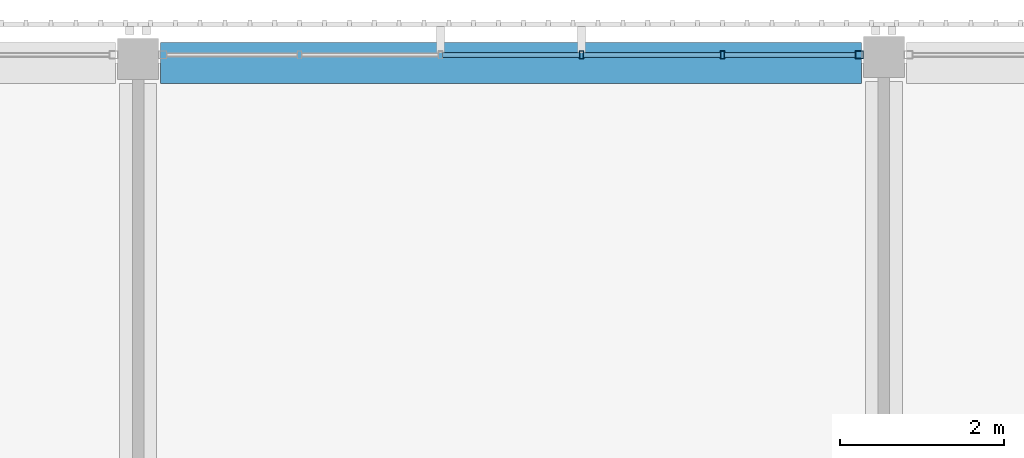
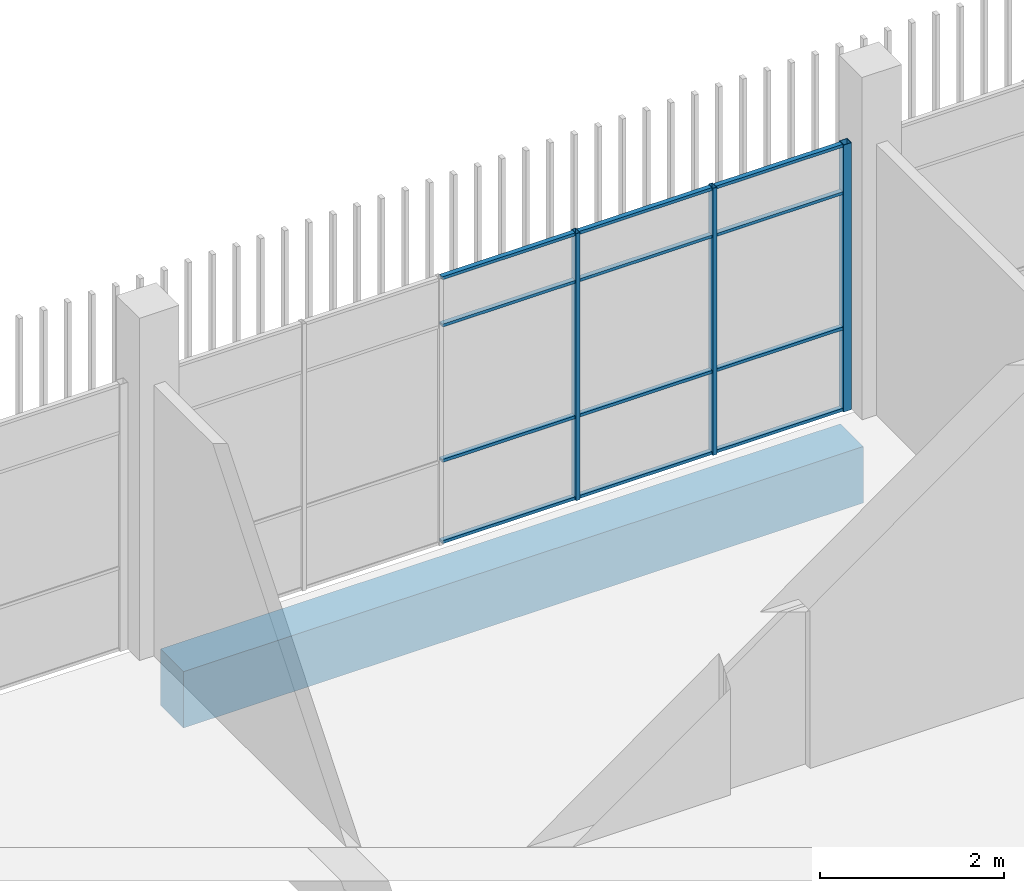
# One storey, part 42 of 139: 15 members, 1 beam, 1 element without a shape of its own.
"""IFC4 building model written with IfcOpenShell, lengths in metres."""

from ifc_helpers import new_model, si_unit, direction, frame, origin, origin_2d, place, context, subcontext, project, spatial, rectangle, hollow_rectangle, extrude, material, layer, layer_set, material_profile, profile_set, type_object, element, aggregate, save


model = new_model("IFC4")

# Units and contexts
model_context = context("Model", 3, precision=1e-05, world=origin(), true_north=direction((0.0, 1.0)))
body_context = subcontext(model_context, "Body", "Model", "MODEL_VIEW")
ifc_project = project(units=[si_unit("LENGTHUNIT", "METRE"), si_unit("AREAUNIT", "SQUARE_METRE"), si_unit("VOLUMEUNIT", "CUBIC_METRE"), si_unit("PLANEANGLEUNIT", "RADIAN"), si_unit("MASSUNIT", "GRAM", prefix="KILO")], contexts=[model_context])

# Site, building, storey
site_placement = place(None, origin())
site = spatial("IfcSite", under=ifc_project, at=site_placement, CompositionType="ELEMENT")
building_placement = place(site_placement, origin())
building = spatial("IfcBuilding", under=site, at=building_placement, Name="Shirokan Park Arena", CompositionType="ELEMENT")
storey_placement = place(building_placement, frame((0.0, 0.0, 15.469970703125)))
storey = spatial("IfcBuildingStorey", under=building, at=storey_placement, Name="L03", CompositionType="ELEMENT", Elevation=15.469970703125)

# Curtain wall, members
ifc_material_1 = material(Name="Steel and glass curtain wall", Category="steel")
ifc_layer = layer(ifc_material_1, 0.10009765625)
ifc_layer_set = layer_set([ifc_layer], Name="Steel and glass curtain wall 100 mm")
curtain_wall_type = type_object("IfcCurtainWallType", Name="Curtain wall sheltered bay 100", PredefinedType="NOTDEFINED", material=ifc_layer_set)
curtain_wall_placement = place(storey_placement, origin())
curtain_wall = element("IfcCurtainWall", 1, at=curtain_wall_placement, inside=storey, type_object=curtain_wall_type, Name="Curtain wall north bay 10 L03", PredefinedType="NOTDEFINED")
ifc_material_2 = material(Name="Steel S355", Category="steel")
ifc_material_profile_1 = material_profile(ifc_material_2, hollow_rectangle(XDim=0.10009765625, YDim=0.10009765625, WallThickness=0.006103515625, at=origin_2d()), Name="RHS 100x100x6")
ifc_profile_set_1 = profile_set([ifc_material_profile_1], Name="Steel S355")
member_type_1 = type_object("IfcMemberType", Name="Mullion RHS 100x100x6", PredefinedType="MULLION", material=ifc_profile_set_1)
member_1_placement = place(storey_placement, frame((63.39990234375, 109.300048828125, 0.0), z_axis=(0.0, 0.0, 1.0), x_axis=(0.0, -1.0, 0.0)))
member_1 = element("IfcMember", 2, at=member_1_placement, type_object=member_type_1, Name="CW2 mullion 1", PredefinedType="MULLION", context=body_context, shape_type="SweptSolid", body=[
    extrude(hollow_rectangle(XDim=0.10009765625, YDim=0.10009765625, WallThickness=0.006103515625, at=origin_2d()), origin(), (0.0, 0.0, 1.0), 3.550048828125),
])
ifc_material_profile_2 = material_profile(ifc_material_2, hollow_rectangle(XDim=0.10009765625, YDim=0.050048828125, WallThickness=0.0048828125, at=origin_2d()), Name="RHS 100x50x5")
ifc_profile_set_2 = profile_set([ifc_material_profile_2], Name="Steel S355")
member_type_2 = type_object("IfcMemberType", Name="Mullion RHS 100x50x5", PredefinedType="MULLION", material=ifc_profile_set_2)
member_2_placement = place(storey_placement, frame((61.72998046875, 109.300048828125, 0.0), z_axis=(0.0, 0.0, 1.0), x_axis=(0.0, -1.0, 0.0)))
member_2 = element("IfcMember", 3, at=member_2_placement, type_object=member_type_2, Name="CW2 mullion 2", PredefinedType="MULLION", context=body_context, shape_type="SweptSolid", body=[
    extrude(hollow_rectangle(XDim=0.10009765625, YDim=0.050048828125, WallThickness=0.0048828125, at=origin_2d()), origin(), (0.0, 0.0, 1.0), 3.550048828125),
])
member_3_placement = place(storey_placement, frame((60.010009765625, 109.300048828125, 0.0), z_axis=(0.0, 0.0, 1.0), x_axis=(0.0, -1.0, 0.0)))
member_3 = element("IfcMember", 4, at=member_3_placement, type_object=member_type_2, Name="CW2 mullion 3", PredefinedType="MULLION", context=body_context, shape_type="SweptSolid", body=[
    extrude(hollow_rectangle(XDim=0.10009765625, YDim=0.050048828125, WallThickness=0.0048828125, at=origin_2d()), origin(), (0.0, 0.0, 1.0), 3.550048828125),
])

# Beam
ifc_material_3 = material(Name="Concrete C35", Category="concrete")
ifc_material_profile_3 = material_profile(ifc_material_3, rectangle(XDim=0.5, YDim=0.75, at=origin_2d()), Name="500x750")
ifc_profile_set_3 = profile_set([ifc_material_profile_3], Name="Concrete C35")
beam_type = type_object("IfcBeamType", Name="RC girder 500x750", PredefinedType="BEAM", material=ifc_profile_set_3)
beam_placement = place(storey_placement, frame((54.875, 109.199951171875, -0.675048828125), z_axis=(1.0, 0.0, 0.0), x_axis=(0.0, 1.0, 0.0)))
element("IfcBeam", 5, at=beam_placement, inside=storey, type_object=beam_type, Name="Girder 7N-8N L03", PredefinedType="BEAM", context=body_context, shape_type="SweptSolid", body=[
    extrude(rectangle(XDim=0.5, YDim=0.75, at=origin_2d()), origin(), (0.0, 0.0, 1.0), 8.5498046875),
])

# Member
ifc_material_profile_4 = material_profile(ifc_material_2, hollow_rectangle(XDim=0.06005859375, YDim=0.0400390625, WallThickness=0.00390625, at=origin_2d()), Name="RHS 60x40x4")
ifc_profile_set_4 = profile_set([ifc_material_profile_4], Name="Steel S355")
member_type_3 = type_object("IfcMemberType", Name="Transom RHS 60x40x4", PredefinedType="MULLION", material=ifc_profile_set_4)
member_4_placement = place(storey_placement, frame((63.35009765625, 109.300048828125, 0.02001953125), z_axis=(-1.0, 0.0, 0.0), x_axis=(0.0, -1.0, 0.0)))
member_4 = element("IfcMember", 6, at=member_4_placement, type_object=member_type_3, Name="CW2 transom 1.1", PredefinedType="MULLION", context=body_context, shape_type="SweptSolid", body=[
    extrude(hollow_rectangle(XDim=0.06005859375, YDim=0.0400390625, WallThickness=0.00390625, at=origin_2d()), origin(), (0.0, 0.0, 1.0), 1.59521484375),
])

member_5_placement = place(storey_placement, frame((63.35009765625, 109.300048828125, 1.10009765625), z_axis=(-1.0, 0.0, 0.0), x_axis=(0.0, -1.0, 0.0)))
member_5 = element("IfcMember", 7, at=member_5_placement, type_object=member_type_3, Name="CW2 transom 1.2", PredefinedType="MULLION", context=body_context, shape_type="SweptSolid", body=[
    extrude(hollow_rectangle(XDim=0.06005859375, YDim=0.0400390625, WallThickness=0.00390625, at=origin_2d()), origin(), (0.0, 0.0, 1.0), 1.59521484375),
])

member_6_placement = place(storey_placement, frame((63.35009765625, 109.300048828125, 2.900146484375), z_axis=(-1.0, 0.0, 0.0), x_axis=(0.0, -1.0, 0.0)))
member_6 = element("IfcMember", 8, at=member_6_placement, type_object=member_type_3, Name="CW2 transom 1.3", PredefinedType="MULLION", context=body_context, shape_type="SweptSolid", body=[
    extrude(hollow_rectangle(XDim=0.06005859375, YDim=0.0400390625, WallThickness=0.00390625, at=origin_2d()), origin(), (0.0, 0.0, 1.0), 1.59521484375),
])

member_7_placement = place(storey_placement, frame((63.35009765625, 109.300048828125, 3.530029296875), z_axis=(-1.0, 0.0, 0.0), x_axis=(0.0, -1.0, 0.0)))
member_7 = element("IfcMember", 9, at=member_7_placement, type_object=member_type_3, Name="CW2 transom 1.4", PredefinedType="MULLION", context=body_context, shape_type="SweptSolid", body=[
    extrude(hollow_rectangle(XDim=0.06005859375, YDim=0.0400390625, WallThickness=0.00390625, at=origin_2d()), origin(), (0.0, 0.0, 1.0), 1.59521484375),
])

member_8_placement = place(storey_placement, frame((61.705078125, 109.300048828125, 0.02001953125), z_axis=(-1.0, 0.0, 0.0), x_axis=(0.0, -1.0, 0.0)))
member_8 = element("IfcMember", 10, at=member_8_placement, type_object=member_type_3, Name="CW2 transom 2.1", PredefinedType="MULLION", context=body_context, shape_type="SweptSolid", body=[
    extrude(hollow_rectangle(XDim=0.06005859375, YDim=0.0400390625, WallThickness=0.00390625, at=origin_2d()), origin(), (0.0, 0.0, 1.0), 1.670166015625),
])

member_9_placement = place(storey_placement, frame((61.705078125, 109.300048828125, 1.10009765625), z_axis=(-1.0, 0.0, 0.0), x_axis=(0.0, -1.0, 0.0)))
member_9 = element("IfcMember", 11, at=member_9_placement, type_object=member_type_3, Name="CW2 transom 2.2", PredefinedType="MULLION", context=body_context, shape_type="SweptSolid", body=[
    extrude(hollow_rectangle(XDim=0.06005859375, YDim=0.0400390625, WallThickness=0.00390625, at=origin_2d()), origin(), (0.0, 0.0, 1.0), 1.670166015625),
])

member_10_placement = place(storey_placement, frame((61.705078125, 109.300048828125, 2.900146484375), z_axis=(-1.0, 0.0, 0.0), x_axis=(0.0, -1.0, 0.0)))
member_10 = element("IfcMember", 12, at=member_10_placement, type_object=member_type_3, Name="CW2 transom 2.3", PredefinedType="MULLION", context=body_context, shape_type="SweptSolid", body=[
    extrude(hollow_rectangle(XDim=0.06005859375, YDim=0.0400390625, WallThickness=0.00390625, at=origin_2d()), origin(), (0.0, 0.0, 1.0), 1.670166015625),
])

member_11_placement = place(storey_placement, frame((61.705078125, 109.300048828125, 3.530029296875), z_axis=(-1.0, 0.0, 0.0), x_axis=(0.0, -1.0, 0.0)))
member_11 = element("IfcMember", 13, at=member_11_placement, type_object=member_type_3, Name="CW2 transom 2.4", PredefinedType="MULLION", context=body_context, shape_type="SweptSolid", body=[
    extrude(hollow_rectangle(XDim=0.06005859375, YDim=0.0400390625, WallThickness=0.00390625, at=origin_2d()), origin(), (0.0, 0.0, 1.0), 1.670166015625),
])

member_12_placement = place(storey_placement, frame((59.985107421875, 109.300048828125, 0.02001953125), z_axis=(-1.0, 0.0, 0.0), x_axis=(0.0, -1.0, 0.0)))
member_12 = element("IfcMember", 14, at=member_12_placement, type_object=member_type_3, Name="CW2 transom 3.1", PredefinedType="MULLION", context=body_context, shape_type="SweptSolid", body=[
    extrude(hollow_rectangle(XDim=0.06005859375, YDim=0.0400390625, WallThickness=0.00390625, at=origin_2d()), origin(), (0.0, 0.0, 1.0), 1.670166015625),
])

member_13_placement = place(storey_placement, frame((59.985107421875, 109.300048828125, 1.10009765625), z_axis=(-1.0, 0.0, 0.0), x_axis=(0.0, -1.0, 0.0)))
member_13 = element("IfcMember", 15, at=member_13_placement, type_object=member_type_3, Name="CW2 transom 3.2", PredefinedType="MULLION", context=body_context, shape_type="SweptSolid", body=[
    extrude(hollow_rectangle(XDim=0.06005859375, YDim=0.0400390625, WallThickness=0.00390625, at=origin_2d()), origin(), (0.0, 0.0, 1.0), 1.670166015625),
])

member_14_placement = place(storey_placement, frame((59.985107421875, 109.300048828125, 2.900146484375), z_axis=(-1.0, 0.0, 0.0), x_axis=(0.0, -1.0, 0.0)))
member_14 = element("IfcMember", 16, at=member_14_placement, type_object=member_type_3, Name="CW2 transom 3.3", PredefinedType="MULLION", context=body_context, shape_type="SweptSolid", body=[
    extrude(hollow_rectangle(XDim=0.06005859375, YDim=0.0400390625, WallThickness=0.00390625, at=origin_2d()), origin(), (0.0, 0.0, 1.0), 1.670166015625),
])

member_15_placement = place(storey_placement, frame((59.985107421875, 109.300048828125, 3.530029296875), z_axis=(-1.0, 0.0, 0.0), x_axis=(0.0, -1.0, 0.0)))
member_15 = element("IfcMember", 17, at=member_15_placement, type_object=member_type_3, Name="CW2 transom 3.4", PredefinedType="MULLION", context=body_context, shape_type="SweptSolid", body=[
    extrude(hollow_rectangle(XDim=0.06005859375, YDim=0.0400390625, WallThickness=0.00390625, at=origin_2d()), origin(), (0.0, 0.0, 1.0), 1.670166015625),
])

aggregate(curtain_wall, [member_1, member_2, member_3, member_4, member_5, member_6, member_7, member_8, member_9, member_10, member_11, member_12, member_13, member_14, member_15])

save(model, "model.ifc")
